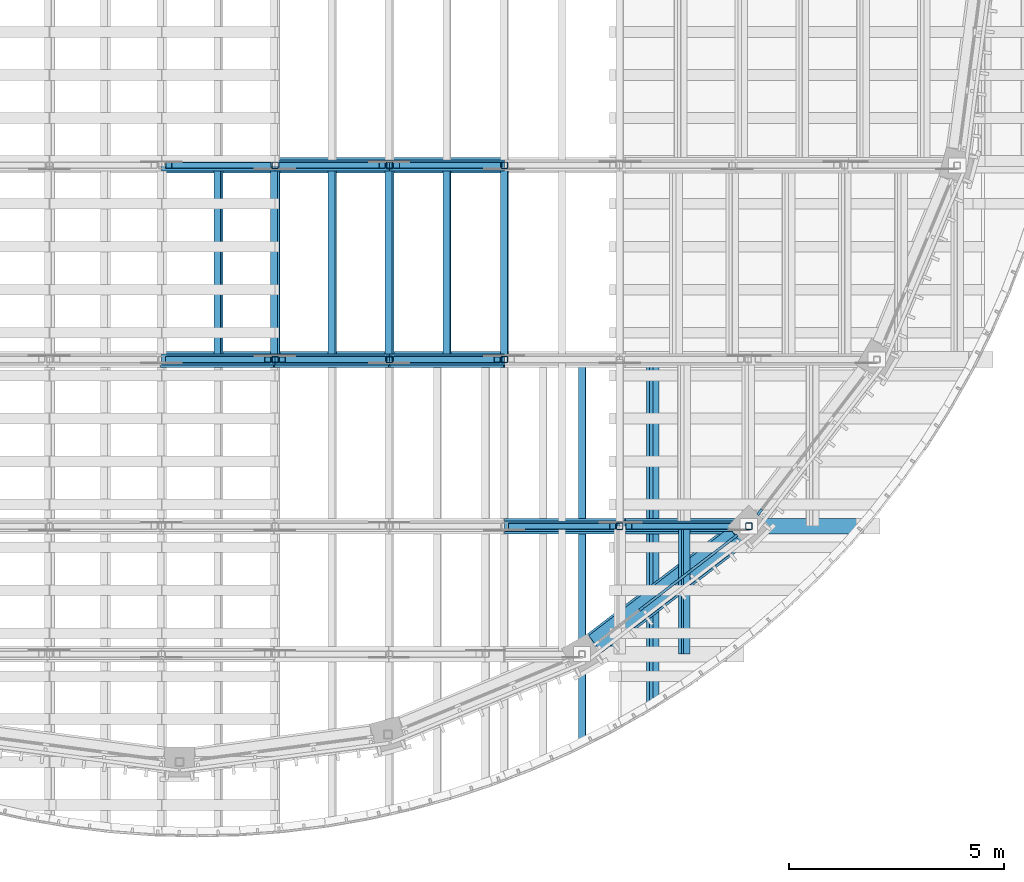
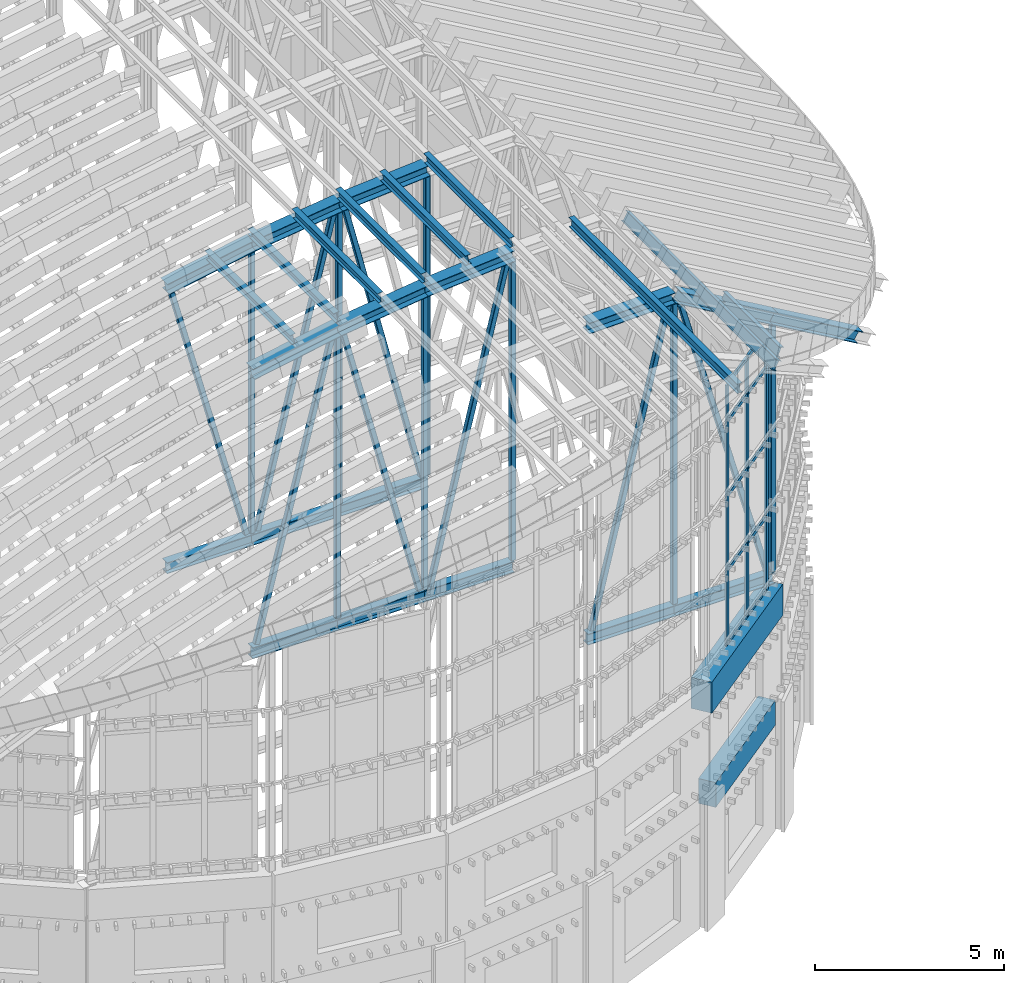
# One storey, part 11 of 105: 56 members, 2 beams, 2 elements without a shape of their own.
"""IFC4 building model written with IfcOpenShell, lengths in metres."""

from ifc_helpers import new_model, si_unit, direction, frame, origin, origin_2d, place, context, subcontext, project, spatial, rectangle, hollow_rectangle, i_section, extrude, material, layer, layer_set, material_profile, profile_set, type_object, element, aggregate, save


model = new_model("IFC4")

# Units and contexts
model_context = context("Model", 3, precision=1e-05, world=origin(), true_north=direction((0.0, 1.0)))
body_context = subcontext(model_context, "Body", "Model", "MODEL_VIEW")
ifc_project = project(units=[si_unit("LENGTHUNIT", "METRE"), si_unit("AREAUNIT", "SQUARE_METRE"), si_unit("VOLUMEUNIT", "CUBIC_METRE"), si_unit("PLANEANGLEUNIT", "RADIAN"), si_unit("MASSUNIT", "GRAM", prefix="KILO")], contexts=[model_context])

# Site, building, storey
site_placement = place(None, origin())
site = spatial("IfcSite", under=ifc_project, at=site_placement, CompositionType="ELEMENT")
building_placement = place(site_placement, origin())
building = spatial("IfcBuilding", under=site, at=building_placement, Name="Wasatch Bagh Community Centre", CompositionType="ELEMENT")
storey_placement = place(building_placement, frame((0.0, 0.0, 16.800048828125)))
storey = spatial("IfcBuildingStorey", under=building, at=storey_placement, Name="L04", CompositionType="ELEMENT", Elevation=16.800048828125)

# Members
ifc_material_1 = material(Name="ASTM A500 Grade C steel", Category="steel")
ifc_material_profile_1 = material_profile(ifc_material_1, hollow_rectangle(XDim=0.15234375, YDim=0.15234375, WallThickness=0.0087890625, InnerFilletRadius=0.0087890625, OuterFilletRadius=0.017822265625, at=origin_2d()), Name="HSS6x6x3/8")
ifc_profile_set_1 = profile_set([ifc_material_profile_1], Name="ASTM A500 Grade C steel")
member_type_1 = type_object("IfcMemberType", Name="HSS6x6x3/8 brace", PredefinedType="BRACE", material=ifc_profile_set_1)
member_1_placement = place(storey_placement, frame((38.057373046875, 30.147216796875, 8.090576171875), z_axis=(-0.257394899199, 0.0, 0.966306300231), x_axis=(0.0, -1.0, 0.0)))
element("IfcMember", 1, at=member_1_placement, inside=storey, type_object=member_type_1, Name="MH.TS1.WB08", PredefinedType="BRACE", context=body_context, shape_type="SweptSolid", body=[
    extrude(hollow_rectangle(XDim=0.15234375, YDim=0.15234375, WallThickness=0.0087890625, InnerFilletRadius=0.0087890625, OuterFilletRadius=0.017822265625, at=origin_2d()), origin(), (0.0, 0.0, 1.0), 8.96728515625),
])
member_2_placement = place(storey_placement, frame((38.39111328125, 30.147216796875, 8.08935546875), z_axis=(0.239854300231, 0.0, 0.970808897086), x_axis=(0.0, 1.0, 0.0)))
element("IfcMember", 2, at=member_2_placement, inside=storey, type_object=member_type_1, Name="MH.TS1.WB09", PredefinedType="BRACE", context=body_context, shape_type="SweptSolid", body=[
    extrude(hollow_rectangle(XDim=0.15234375, YDim=0.15234375, WallThickness=0.0087890625, InnerFilletRadius=0.0087890625, OuterFilletRadius=0.017822265625, at=origin_2d()), origin(), (0.0, 0.0, 1.0), 9.70849609375),
])
member_3_placement = place(storey_placement, frame((43.401123046875, 30.147216796875, 8.08935546875), z_axis=(-0.240640528946, 0.0, 0.970614308481), x_axis=(0.0, -1.0, 0.0)))
element("IfcMember", 3, at=member_3_placement, inside=storey, type_object=member_type_1, Name="MH.TS1.WB10", PredefinedType="BRACE", context=body_context, shape_type="SweptSolid", body=[
    extrude(hollow_rectangle(XDim=0.15234375, YDim=0.15234375, WallThickness=0.0087890625, InnerFilletRadius=0.0087890625, OuterFilletRadius=0.017822265625, at=origin_2d()), origin(), (0.0, 0.0, 1.0), 9.762939453125),
])
member_4_placement = place(storey_placement, frame((35.75146484375, 25.625, 8.08984375), z_axis=(0.246183437519, 0.0, 0.969223253483), x_axis=(0.0, 1.0, 0.0)))
element("IfcMember", 4, at=member_4_placement, inside=storey, type_object=member_type_1, Name="MH.TS2.WB07", PredefinedType="BRACE", context=body_context, shape_type="SweptSolid", body=[
    extrude(hollow_rectangle(XDim=0.15234375, YDim=0.15234375, WallThickness=0.0087890625, InnerFilletRadius=0.0087890625, OuterFilletRadius=0.017822265625, at=origin_2d()), origin(), (0.0, 0.0, 1.0), 9.349853515625),
])
member_5_placement = place(storey_placement, frame((40.722412109375, 25.625, 8.08984375), z_axis=(-0.247331546252, 0.0, 0.968930908904), x_axis=(0.0, -1.0, 0.0)))
element("IfcMember", 5, at=member_5_placement, inside=storey, type_object=member_type_1, Name="MH.TS2.WB08", PredefinedType="BRACE", context=body_context, shape_type="SweptSolid", body=[
    extrude(hollow_rectangle(XDim=0.15234375, YDim=0.15234375, WallThickness=0.0087890625, InnerFilletRadius=0.0087890625, OuterFilletRadius=0.017822265625, at=origin_2d()), origin(), (0.0, 0.0, 1.0), 9.4326171875),
])
member_6_placement = place(storey_placement, frame((41.052978515625, 25.625, 8.089111328125), z_axis=(0.236340285588, 0.0, 0.971670350174), x_axis=(0.0, 1.0, 0.0)))
element("IfcMember", 6, at=member_6_placement, inside=storey, type_object=member_type_1, Name="MH.TS2.WB09", PredefinedType="BRACE", context=body_context, shape_type="SweptSolid", body=[
    extrude(hollow_rectangle(XDim=0.15234375, YDim=0.15234375, WallThickness=0.0087890625, InnerFilletRadius=0.0087890625, OuterFilletRadius=0.017822265625, at=origin_2d()), origin(), (0.0, 0.0, 1.0), 9.92919921875),
])
member_7_placement = place(storey_placement, frame((43.7294921875, 21.74169921875, 8.089111328125), z_axis=(0.23546246071, 0.0, 0.97188344445), x_axis=(0.0, 1.0, 0.0)))
element("IfcMember", 7, at=member_7_placement, inside=storey, type_object=member_type_1, Name="MH.TS3.WB09", PredefinedType="BRACE", context=body_context, shape_type="SweptSolid", body=[
    extrude(hollow_rectangle(XDim=0.15234375, YDim=0.15234375, WallThickness=0.0087890625, InnerFilletRadius=0.0087890625, OuterFilletRadius=0.017822265625, at=origin_2d()), origin(), (0.0, 0.0, 1.0), 10.006591796875),
])
member_8_placement = place(storey_placement, frame((49.0869140625, 21.74169921875, 8.09130859375), z_axis=(-0.266053472692, 0.0, 0.963958271746), x_axis=(0.0, -1.0, 0.0)))
element("IfcMember", 8, at=member_8_placement, inside=storey, type_object=member_type_1, Name="MH.TS3.WB10", PredefinedType="BRACE", context=body_context, shape_type="SweptSolid", body=[
    extrude(hollow_rectangle(XDim=0.15234375, YDim=0.15234375, WallThickness=0.0087890625, InnerFilletRadius=0.0087890625, OuterFilletRadius=0.017822265625, at=origin_2d()), origin(), (0.0, 0.0, 1.0), 9.867431640625),
])
ifc_material_profile_2 = material_profile(ifc_material_1, hollow_rectangle(XDim=0.15234375, YDim=0.15234375, WallThickness=0.0087890625, InnerFilletRadius=0.0087890625, OuterFilletRadius=0.017822265625, at=origin_2d()), Name="HSS6x6x3/8")
ifc_profile_set_2 = profile_set([ifc_material_profile_2], Name="ASTM A500 Grade C steel")
member_type_2 = type_object("IfcMemberType", Name="HSS6x6x3/8 post", PredefinedType="POST", material=ifc_profile_set_2)
member_9_placement = place(storey_placement, frame((38.226318359375, 30.147216796875, 8.070556640625), z_axis=(0.0, 0.0, 1.0), x_axis=(1.0, 0.0, 0.0)))
element("IfcMember", 9, at=member_9_placement, inside=storey, type_object=member_type_2, Name="MH.TS1.PS09", PredefinedType="POST", context=body_context, shape_type="SweptSolid", body=[
    extrude(hollow_rectangle(XDim=0.15234375, YDim=0.15234375, WallThickness=0.0087890625, InnerFilletRadius=0.0087890625, OuterFilletRadius=0.017822265625, at=origin_2d()), origin(), (0.0, 0.0, 1.0), 9.13134765625),
])
member_10_placement = place(storey_placement, frame((40.88916015625, 30.147216796875, 8.070556640625), z_axis=(0.0, 0.0, 1.0), x_axis=(1.0, 0.0, 0.0)))
element("IfcMember", 10, at=member_10_placement, inside=storey, type_object=member_type_2, Name="MH.TS1.PS10", PredefinedType="POST", context=body_context, shape_type="SweptSolid", body=[
    extrude(hollow_rectangle(XDim=0.15234375, YDim=0.15234375, WallThickness=0.0087890625, InnerFilletRadius=0.0087890625, OuterFilletRadius=0.017822265625, at=origin_2d()), origin(), (0.0, 0.0, 1.0), 9.48388671875),
])
member_11_placement = place(storey_placement, frame((43.56591796875, 30.147216796875, 8.070556640625), z_axis=(0.0, 0.0, 1.0), x_axis=(1.0, 0.0, 0.0)))
element("IfcMember", 11, at=member_11_placement, inside=storey, type_object=member_type_2, Name="MH.TS1.PS11", PredefinedType="POST", context=body_context, shape_type="SweptSolid", body=[
    extrude(hollow_rectangle(XDim=0.15234375, YDim=0.15234375, WallThickness=0.0087890625, InnerFilletRadius=0.0087890625, OuterFilletRadius=0.017822265625, at=origin_2d()), origin(), (0.0, 0.0, 1.0), 9.697265625),
])
member_12_placement = place(storey_placement, frame((38.226318359375, 25.625, 8.070556640625), z_axis=(0.0, 0.0, 1.0), x_axis=(1.0, 0.0, 0.0)))
element("IfcMember", 12, at=member_12_placement, inside=storey, type_object=member_type_2, Name="MH.TS2.PS08", PredefinedType="POST", context=body_context, shape_type="SweptSolid", body=[
    extrude(hollow_rectangle(XDim=0.15234375, YDim=0.15234375, WallThickness=0.0087890625, InnerFilletRadius=0.0087890625, OuterFilletRadius=0.017822265625, at=origin_2d()), origin(), (0.0, 0.0, 1.0), 9.13134765625),
])
member_13_placement = place(storey_placement, frame((40.88916015625, 25.625, 8.070556640625), z_axis=(0.0, 0.0, 1.0), x_axis=(1.0, 0.0, 0.0)))
element("IfcMember", 13, at=member_13_placement, inside=storey, type_object=member_type_2, Name="MH.TS2.PS09", PredefinedType="POST", context=body_context, shape_type="SweptSolid", body=[
    extrude(hollow_rectangle(XDim=0.15234375, YDim=0.15234375, WallThickness=0.0087890625, InnerFilletRadius=0.0087890625, OuterFilletRadius=0.017822265625, at=origin_2d()), origin(), (0.0, 0.0, 1.0), 9.48388671875),
])
member_14_placement = place(storey_placement, frame((43.56591796875, 25.625, 8.070556640625), z_axis=(0.0, 0.0, 1.0), x_axis=(1.0, 0.0, 0.0)))
element("IfcMember", 14, at=member_14_placement, inside=storey, type_object=member_type_2, Name="MH.TS2.PS10", PredefinedType="POST", context=body_context, shape_type="SweptSolid", body=[
    extrude(hollow_rectangle(XDim=0.15234375, YDim=0.15234375, WallThickness=0.0087890625, InnerFilletRadius=0.0087890625, OuterFilletRadius=0.017822265625, at=origin_2d()), origin(), (0.0, 0.0, 1.0), 9.697265625),
])
member_15_placement = place(storey_placement, frame((46.25, 21.74169921875, 8.070556640625), z_axis=(0.0, 0.0, 1.0), x_axis=(1.0, 0.0, 0.0)))
element("IfcMember", 15, at=member_15_placement, inside=storey, type_object=member_type_2, Name="MH.TS3.PS10", PredefinedType="POST", context=body_context, shape_type="SweptSolid", body=[
    extrude(hollow_rectangle(XDim=0.15234375, YDim=0.15234375, WallThickness=0.0087890625, InnerFilletRadius=0.0087890625, OuterFilletRadius=0.017822265625, at=origin_2d()), origin(), (0.0, 0.0, 1.0), 9.67431640625),
])
member_16_placement = place(storey_placement, frame((49.25830078125, 21.74169921875, 8.070556640625), z_axis=(0.0, 0.0, 1.0), x_axis=(1.0, 0.0, 0.0)))
element("IfcMember", 16, at=member_16_placement, inside=storey, type_object=member_type_2, Name="MH.TS3.PS11", PredefinedType="POST", context=body_context, shape_type="SweptSolid", body=[
    extrude(hollow_rectangle(XDim=0.15234375, YDim=0.15234375, WallThickness=0.0087890625, InnerFilletRadius=0.0087890625, OuterFilletRadius=0.017822265625, at=origin_2d()), origin(), (0.0, 0.0, 1.0), 7.936279296875),
])

# Curtain wall, members
ifc_material_2 = material(Name="Aluminium curtain wall frame with low-iron glass", Category="aluminium")
ifc_layer_1 = layer(ifc_material_2, 0.10009765625)
ifc_layer_set_1 = layer_set([ifc_layer_1], Name="Aluminium curtain wall frame with low-iron glass")
curtain_wall_type_1 = type_object("IfcCurtainWallType", Name="MH end screen curtain wall 7", PredefinedType="NOTDEFINED", material=ifc_layer_set_1)
curtain_wall_1_placement = place(storey_placement, origin())
curtain_wall_1 = element("IfcCurtainWall", 17, at=curtain_wall_1_placement, inside=storey, type_object=curtain_wall_type_1, Name="End screen 9", PredefinedType="NOTDEFINED")
ifc_material_3 = material(Name="Aluminium extrusion", Category="aluminium")
ifc_material_profile_3 = material_profile(ifc_material_3, rectangle(XDim=0.06005859375, YDim=0.159912109375, at=origin_2d()), Name="AL 60x160")
ifc_profile_set_3 = profile_set([ifc_material_profile_3], Name="Aluminium extrusion")
member_type_3 = type_object("IfcMemberType", Name="MH end screen mullion 60x160", PredefinedType="MULLION", material=ifc_profile_set_3)
member_17_placement = place(storey_placement, frame((46.771728515625, 19.833740234375, 7.699951171875), z_axis=(0.0, 0.0, 1.0), x_axis=(-0.608761429036, 0.79335334027, 0.0)))
member_17 = element("IfcMember", 18, at=member_17_placement, type_object=member_type_3, Name="MH-CW7 mullion 2", PredefinedType="MULLION", context=body_context, shape_type="SweptSolid", body=[
    extrude(rectangle(XDim=0.06005859375, YDim=0.159912109375, at=origin_2d()), origin(), (0.0, 0.0, 1.0), 8.39990234375),
])
member_18_placement = place(storey_placement, frame((47.861572265625, 20.670166015625, 7.699951171875), z_axis=(0.0, 0.0, 1.0), x_axis=(-0.608761429036, 0.79335334027, 0.0)))
member_18 = element("IfcMember", 19, at=member_18_placement, type_object=member_type_3, Name="MH-CW7 mullion 3", PredefinedType="MULLION", context=body_context, shape_type="SweptSolid", body=[
    extrude(rectangle(XDim=0.06005859375, YDim=0.159912109375, at=origin_2d()), origin(), (0.0, 0.0, 1.0), 8.39990234375),
])
member_19_placement = place(storey_placement, frame((48.927978515625, 21.48828125, 7.699951171875), z_axis=(0.0, 0.0, 1.0), x_axis=(-0.608761429036, 0.79335334027, 0.0)))
member_19 = element("IfcMember", 20, at=member_19_placement, type_object=member_type_3, Name="MH-CW7 mullion 4", PredefinedType="MULLION", context=body_context, shape_type="SweptSolid", body=[
    extrude(rectangle(XDim=0.06005859375, YDim=0.159912109375, at=origin_2d()), origin(), (0.0, 0.0, 1.0), 8.39990234375),
])

# Curtain wall, member
ifc_layer_2 = layer(ifc_material_2, 0.10009765625)
ifc_layer_set_2 = layer_set([ifc_layer_2], Name="Aluminium curtain wall frame with low-iron glass")
curtain_wall_type_2 = type_object("IfcCurtainWallType", Name="MH end screen curtain wall 5", PredefinedType="NOTDEFINED", material=ifc_layer_set_2)
curtain_wall_2_placement = place(storey_placement, origin())
curtain_wall_2 = element("IfcCurtainWall", 21, at=curtain_wall_2_placement, inside=storey, type_object=curtain_wall_type_2, Name="End screen 10", PredefinedType="NOTDEFINED")
member_20_placement = place(storey_placement, frame((49.51171875, 22.072021484375, 7.699951171875), z_axis=(0.0, 0.0, 1.0), x_axis=(-0.79335334027, 0.608761429036, 0.0)))
member_20 = element("IfcMember", 22, at=member_20_placement, type_object=member_type_3, Name="MH-CW5 mullion 1", PredefinedType="MULLION", context=body_context, shape_type="SweptSolid", body=[
    extrude(rectangle(XDim=0.06005859375, YDim=0.159912109375, at=origin_2d()), origin(), (0.0, 0.0, 1.0), 6.60009765625),
])
aggregate(curtain_wall_2, [member_20])

# Member
ifc_material_profile_4 = material_profile(ifc_material_3, rectangle(XDim=0.06005859375, YDim=0.1201171875, at=origin_2d()), Name="AL 60x120")
ifc_profile_set_4 = profile_set([ifc_material_profile_4], Name="Aluminium extrusion")
member_type_4 = type_object("IfcMemberType", Name="MH end screen transom 60x120", PredefinedType="USERDEFINED", material=ifc_profile_set_4)
member_21_placement = place(storey_placement, frame((46.79541015625, 19.85205078125, 7.72998046875), z_axis=(0.793396972345, 0.608704562389, 0.0), x_axis=(-0.608704562389, 0.793396972345, 0.0)))
member_21 = element("IfcMember", 23, at=member_21_placement, type_object=member_type_4, Name="MH-CW7 transom 2.1", ObjectType="TRANSOM", PredefinedType="USERDEFINED", context=body_context, shape_type="SweptSolid", body=[
    extrude(rectangle(XDim=0.06005859375, YDim=0.1201171875, at=origin_2d()), origin(), (0.0, 0.0, 1.0), 1.31396484375),
])

member_22_placement = place(storey_placement, frame((46.79541015625, 19.85205078125, 10.099853515625), z_axis=(0.793396972345, 0.608704562389, 0.0), x_axis=(-0.608704562389, 0.793396972345, 0.0)))
member_22 = element("IfcMember", 24, at=member_22_placement, type_object=member_type_4, Name="MH-CW7 transom 2.2", ObjectType="TRANSOM", PredefinedType="USERDEFINED", context=body_context, shape_type="SweptSolid", body=[
    extrude(rectangle(XDim=0.06005859375, YDim=0.1201171875, at=origin_2d()), origin(), (0.0, 0.0, 1.0), 1.31396484375),
])

member_23_placement = place(storey_placement, frame((46.79541015625, 19.85205078125, 12.5), z_axis=(0.793396972345, 0.608704562389, 0.0), x_axis=(-0.608704562389, 0.793396972345, 0.0)))
member_23 = element("IfcMember", 25, at=member_23_placement, type_object=member_type_4, Name="MH-CW7 transom 2.3", ObjectType="TRANSOM", PredefinedType="USERDEFINED", context=body_context, shape_type="SweptSolid", body=[
    extrude(rectangle(XDim=0.06005859375, YDim=0.1201171875, at=origin_2d()), origin(), (0.0, 0.0, 1.0), 1.31396484375),
])

member_24_placement = place(storey_placement, frame((46.79541015625, 19.85205078125, 14.89990234375), z_axis=(0.793396972345, 0.608704562389, 0.0), x_axis=(-0.608704562389, 0.793396972345, 0.0)))
member_24 = element("IfcMember", 26, at=member_24_placement, type_object=member_type_4, Name="MH-CW7 transom 2.4", ObjectType="TRANSOM", PredefinedType="USERDEFINED", context=body_context, shape_type="SweptSolid", body=[
    extrude(rectangle(XDim=0.06005859375, YDim=0.1201171875, at=origin_2d()), origin(), (0.0, 0.0, 1.0), 1.31396484375),
])

member_25_placement = place(storey_placement, frame((46.79541015625, 19.85205078125, 16.070068359375), z_axis=(0.793396972345, 0.608704562389, 0.0), x_axis=(-0.608704562389, 0.793396972345, 0.0)))
member_25 = element("IfcMember", 27, at=member_25_placement, type_object=member_type_4, Name="MH-CW7 transom 2.5", ObjectType="TRANSOM", PredefinedType="USERDEFINED", context=body_context, shape_type="SweptSolid", body=[
    extrude(rectangle(XDim=0.06005859375, YDim=0.1201171875, at=origin_2d()), origin(), (0.0, 0.0, 1.0), 1.31396484375),
])

member_26_placement = place(storey_placement, frame((47.885498046875, 20.688232421875, 7.72998046875), z_axis=(0.793287968186, 0.608846614125, 0.0), x_axis=(-0.608846614125, 0.793287968186, 0.0)))
member_26 = element("IfcMember", 28, at=member_26_placement, type_object=member_type_4, Name="MH-CW7 transom 3.1", ObjectType="TRANSOM", PredefinedType="USERDEFINED", context=body_context, shape_type="SweptSolid", body=[
    extrude(rectangle(XDim=0.06005859375, YDim=0.1201171875, at=origin_2d()), origin(), (0.0, 0.0, 1.0), 1.283935546875),
])

member_27_placement = place(storey_placement, frame((47.885498046875, 20.688232421875, 10.099853515625), z_axis=(0.793287968186, 0.608846614125, 0.0), x_axis=(-0.608846614125, 0.793287968186, 0.0)))
member_27 = element("IfcMember", 29, at=member_27_placement, type_object=member_type_4, Name="MH-CW7 transom 3.2", ObjectType="TRANSOM", PredefinedType="USERDEFINED", context=body_context, shape_type="SweptSolid", body=[
    extrude(rectangle(XDim=0.06005859375, YDim=0.1201171875, at=origin_2d()), origin(), (0.0, 0.0, 1.0), 1.283935546875),
])

member_28_placement = place(storey_placement, frame((47.885498046875, 20.688232421875, 12.5), z_axis=(0.793287968186, 0.608846614125, 0.0), x_axis=(-0.608846614125, 0.793287968186, 0.0)))
member_28 = element("IfcMember", 30, at=member_28_placement, type_object=member_type_4, Name="MH-CW7 transom 3.3", ObjectType="TRANSOM", PredefinedType="USERDEFINED", context=body_context, shape_type="SweptSolid", body=[
    extrude(rectangle(XDim=0.06005859375, YDim=0.1201171875, at=origin_2d()), origin(), (0.0, 0.0, 1.0), 1.283935546875),
])

member_29_placement = place(storey_placement, frame((47.885498046875, 20.688232421875, 14.89990234375), z_axis=(0.793287968186, 0.608846614125, 0.0), x_axis=(-0.608846614125, 0.793287968186, 0.0)))
member_29 = element("IfcMember", 31, at=member_29_placement, type_object=member_type_4, Name="MH-CW7 transom 3.4", ObjectType="TRANSOM", PredefinedType="USERDEFINED", context=body_context, shape_type="SweptSolid", body=[
    extrude(rectangle(XDim=0.06005859375, YDim=0.1201171875, at=origin_2d()), origin(), (0.0, 0.0, 1.0), 1.283935546875),
])

member_30_placement = place(storey_placement, frame((47.885498046875, 20.688232421875, 16.070068359375), z_axis=(0.793287968186, 0.608846614125, 0.0), x_axis=(-0.608846614125, 0.793287968186, 0.0)))
member_30 = element("IfcMember", 32, at=member_30_placement, type_object=member_type_4, Name="MH-CW7 transom 3.5", ObjectType="TRANSOM", PredefinedType="USERDEFINED", context=body_context, shape_type="SweptSolid", body=[
    extrude(rectangle(XDim=0.06005859375, YDim=0.1201171875, at=origin_2d()), origin(), (0.0, 0.0, 1.0), 1.283935546875),
])

aggregate(curtain_wall_1, [member_17, member_18, member_19, member_21, member_22, member_23, member_24, member_25, member_26, member_27, member_28, member_29, member_30])

# Beams
ifc_material_4 = material(Name="Concrete C35", Category="concrete")
ifc_material_profile_5 = material_profile(ifc_material_4, rectangle(XDim=0.5, YDim=0.800048828125, at=origin_2d()), Name="RC 500x800")
ifc_profile_set_5 = profile_set([ifc_material_profile_5], Name="Concrete C35")
beam_type_1 = type_object("IfcBeamType", Name="MH ring beam RC 500x800", PredefinedType="BEAM", material=ifc_profile_set_5)
beam_1_placement = place(storey_placement, frame((45.681640625, 18.997314453125, 3.800048828125), z_axis=(0.793341258985, 0.60877717335, 0.0), x_axis=(-0.60877717335, 0.793341258985, 0.0)))
element("IfcBeam", 33, at=beam_1_placement, inside=storey, type_object=beam_type_1, Name="Ring beam 21.0 S8-S9", PredefinedType="BEAM", context=body_context, shape_type="SweptSolid", body=[
    extrude(rectangle(XDim=0.5, YDim=0.800048828125, at=origin_2d()), origin(), (0.0, 0.0, 1.0), 4.121826171875),
])
ifc_material_profile_6 = material_profile(ifc_material_4, rectangle(XDim=0.60009765625, YDim=1.0, at=origin_2d()), Name="RC 600x1000")
ifc_profile_set_6 = profile_set([ifc_material_profile_6], Name="Concrete C35")
beam_type_2 = type_object("IfcBeamType", Name="MH ring beam RC 600x1000", PredefinedType="BEAM", material=ifc_profile_set_6)
beam_2_placement = place(storey_placement, frame((45.375, 18.761962890625, 7.199951171875), z_axis=(0.793355823169, 0.608758193246, 0.0), x_axis=(-0.608758193246, 0.793355823169, 0.0)))
element("IfcBeam", 34, at=beam_2_placement, inside=storey, type_object=beam_type_2, Name="Ring beam 24.5 S8-S9", PredefinedType="BEAM", context=body_context, shape_type="SweptSolid", body=[
    extrude(rectangle(XDim=0.60009765625, YDim=1.0, at=origin_2d()), origin(), (0.0, 0.0, 1.0), 4.894775390625),
])

# Members
ifc_material_5 = material(Name="ASTM A992 Grade 50 steel", Category="steel")
ifc_material_profile_7 = material_profile(ifc_material_5, i_section(OverallWidth=0.164794921875, OverallDepth=0.309814453125, WebThickness=0.005859375, FlangeThickness=0.009765625, at=origin_2d()), Name="W12x26")
ifc_profile_set_7 = profile_set([ifc_material_profile_7], Name="ASTM A992 Grade 50 steel")
member_type_5 = type_object("IfcMemberType", Name="W12x26 purlin", PredefinedType="PURLIN", material=ifc_profile_set_7)
member_31_placement = place(storey_placement, frame((47.754150390625, 18.761962890625, 17.431884765625), z_axis=(0.0, 1.0, 0.0), x_axis=(-0.922976927194, 0.0, 0.384855286916)))
element("IfcMember", 35, at=member_31_placement, inside=storey, type_object=member_type_5, Name="MH.TS4-TS3.PU19", PredefinedType="PURLIN", context=body_context, shape_type="SweptSolid", body=[
    extrude(i_section(OverallWidth=0.164794921875, OverallDepth=0.309814453125, WebThickness=0.005859375, FlangeThickness=0.009765625, at=origin_2d()), origin(), (0.0, 0.0, 1.0), 2.979736328125),
])
for number, where, z_axis, x_axis, name in (
    (36, (36.90576171875, 25.625, 17.493408203125), (0.0, 1.0, 0.0), (-0.983711293114, 0.0, -0.179755644695), "MH.TS2-TS1.PU15"),
    (37, (38.226318359375, 25.625, 17.734619140625), (0.0, 1.0, 0.0), (-0.983711293114, 0.0, -0.179755644695), "MH.TS2-TS1.PU16"),
    (38, (39.5576171875, 25.625, 17.90625), (0.0, 1.0, 0.0), (-0.991678342395, 0.0, -0.12874030148), "MH.TS2-TS1.PU17"),
    (39, (40.88916015625, 25.625, 18.0791015625), (0.0, 1.0, 0.0), (-0.991678342395, 0.0, -0.12874030148), "MH.TS2-TS1.PU18"),
    (40, (42.2275390625, 25.625, 18.18212890625), (0.0, 1.0, 0.0), (-0.997001538098, 0.0, -0.077381735761), "MH.TS2-TS1.PU19"),
    (41, (43.56591796875, 25.625, 18.2861328125), (0.0, 1.0, 0.0), (-0.997001538098, 0.0, -0.077381735761), "MH.TS2-TS1.PU20"),
):
    element("IfcMember", number, at=place(storey_placement, frame(where, z_axis=z_axis, x_axis=x_axis)), inside=storey, type_object=member_type_5, Name=name, PredefinedType="PURLIN", context=body_context, shape_type="SweptSolid", body=[
        extrude(i_section(OverallWidth=0.164794921875, OverallDepth=0.309814453125, WebThickness=0.005859375, FlangeThickness=0.009765625, at=origin_2d()), origin(), (0.0, 0.0, 1.0), 4.522216796875),
    ])
ifc_material_profile_8 = material_profile(ifc_material_5, i_section(OverallWidth=0.164794921875, OverallDepth=0.309814453125, WebThickness=0.005859375, FlangeThickness=0.009765625, at=origin_2d()), Name="W12x26")
ifc_profile_set_8 = profile_set([ifc_material_profile_8], Name="ASTM A992 Grade 50 steel")
member_type_6 = type_object("IfcMemberType", Name="W12x26 rafter", PredefinedType="RAFTER", material=ifc_profile_set_8)
member_32_placement = place(storey_placement, frame((45.375, 16.736083984375, 18.33203125), z_axis=(0.0, 1.0, 0.0), x_axis=(-0.999666689532, 0.0, -0.025816851865)))
element("IfcMember", 42, at=member_32_placement, inside=storey, type_object=member_type_6, Name="MH.TS.RF19", PredefinedType="RAFTER", context=body_context, shape_type="SweptSolid", body=[
    extrude(i_section(OverallWidth=0.164794921875, OverallDepth=0.309814453125, WebThickness=0.005859375, FlangeThickness=0.009765625, at=origin_2d()), origin(), (0.0, 0.0, 1.0), 8.888916015625),
])
member_33_placement = place(storey_placement, frame((47.0205078125, 17.64111328125, 17.93359375), z_axis=(0.0, 1.0, 0.0), x_axis=(-0.866025403784, 0.0, 0.5)))
element("IfcMember", 43, at=member_33_placement, inside=storey, type_object=member_type_6, Name="MH.TS.RF20", PredefinedType="RAFTER", context=body_context, shape_type="SweptSolid", body=[
    extrude(i_section(OverallWidth=0.164794921875, OverallDepth=0.309814453125, WebThickness=0.005859375, FlangeThickness=0.009765625, at=origin_2d()), origin(), (0.0, 0.0, 1.0), 7.98388671875),
])
ifc_material_profile_9 = material_profile(ifc_material_5, i_section(OverallWidth=0.25390625, OverallDepth=0.355712890625, WebThickness=0.010498046875, FlangeThickness=0.018310546875, at=origin_2d()), Name="W14x68")
ifc_profile_set_9 = profile_set([ifc_material_profile_9], Name="ASTM A992 Grade 50 steel")
member_type_7 = type_object("IfcMemberType", Name="W14x68 chord", PredefinedType="CHORD", material=ifc_profile_set_9)
member_34_placement = place(storey_placement, frame((35.585205078125, 30.147216796875, 7.892822265625), z_axis=(1.0, 0.0, 0.0), x_axis=(0.0, 1.0, 0.0)))
element("IfcMember", 44, at=member_34_placement, inside=storey, type_object=member_type_7, Name="MH.TS1.BC08", PredefinedType="CHORD", context=body_context, shape_type="SweptSolid", body=[
    extrude(i_section(OverallWidth=0.25390625, OverallDepth=0.355712890625, WebThickness=0.010498046875, FlangeThickness=0.018310546875, at=origin_2d()), origin(), (0.0, 0.0, 1.0), 2.64111328125),
])
member_35_placement = place(storey_placement, frame((38.226318359375, 30.147216796875, 7.892822265625), z_axis=(1.0, 0.0, 0.0), x_axis=(0.0, 1.0, 0.0)))
element("IfcMember", 45, at=member_35_placement, inside=storey, type_object=member_type_7, Name="MH.TS1.BC09", PredefinedType="CHORD", context=body_context, shape_type="SweptSolid", body=[
    extrude(i_section(OverallWidth=0.25390625, OverallDepth=0.355712890625, WebThickness=0.010498046875, FlangeThickness=0.018310546875, at=origin_2d()), origin(), (0.0, 0.0, 1.0), 2.662841796875),
])
member_36_placement = place(storey_placement, frame((40.88916015625, 30.147216796875, 7.892822265625), z_axis=(1.0, 0.0, 0.0), x_axis=(0.0, 1.0, 0.0)))
element("IfcMember", 46, at=member_36_placement, inside=storey, type_object=member_type_7, Name="MH.TS1.BC10", PredefinedType="CHORD", context=body_context, shape_type="SweptSolid", body=[
    extrude(i_section(OverallWidth=0.25390625, OverallDepth=0.355712890625, WebThickness=0.010498046875, FlangeThickness=0.018310546875, at=origin_2d()), origin(), (0.0, 0.0, 1.0), 2.6767578125),
])
member_37_placement = place(storey_placement, frame((35.585205078125, 25.625, 7.892822265625), z_axis=(1.0, 0.0, 0.0), x_axis=(0.0, 1.0, 0.0)))
element("IfcMember", 47, at=member_37_placement, inside=storey, type_object=member_type_7, Name="MH.TS2.BC07", PredefinedType="CHORD", context=body_context, shape_type="SweptSolid", body=[
    extrude(i_section(OverallWidth=0.25390625, OverallDepth=0.355712890625, WebThickness=0.010498046875, FlangeThickness=0.018310546875, at=origin_2d()), origin(), (0.0, 0.0, 1.0), 2.64111328125),
])
member_38_placement = place(storey_placement, frame((38.226318359375, 25.625, 7.892822265625), z_axis=(1.0, 0.0, 0.0), x_axis=(0.0, 1.0, 0.0)))
element("IfcMember", 48, at=member_38_placement, inside=storey, type_object=member_type_7, Name="MH.TS2.BC08", PredefinedType="CHORD", context=body_context, shape_type="SweptSolid", body=[
    extrude(i_section(OverallWidth=0.25390625, OverallDepth=0.355712890625, WebThickness=0.010498046875, FlangeThickness=0.018310546875, at=origin_2d()), origin(), (0.0, 0.0, 1.0), 2.662841796875),
])
member_39_placement = place(storey_placement, frame((40.88916015625, 25.625, 7.892822265625), z_axis=(1.0, 0.0, 0.0), x_axis=(0.0, 1.0, 0.0)))
element("IfcMember", 49, at=member_39_placement, inside=storey, type_object=member_type_7, Name="MH.TS2.BC09", PredefinedType="CHORD", context=body_context, shape_type="SweptSolid", body=[
    extrude(i_section(OverallWidth=0.25390625, OverallDepth=0.355712890625, WebThickness=0.010498046875, FlangeThickness=0.018310546875, at=origin_2d()), origin(), (0.0, 0.0, 1.0), 2.6767578125),
])
member_40_placement = place(storey_placement, frame((43.56591796875, 21.74169921875, 7.892822265625), z_axis=(1.0, 0.0, 0.0), x_axis=(0.0, 1.0, 0.0)))
element("IfcMember", 50, at=member_40_placement, inside=storey, type_object=member_type_7, Name="MH.TS3.BC09", PredefinedType="CHORD", context=body_context, shape_type="SweptSolid", body=[
    extrude(i_section(OverallWidth=0.25390625, OverallDepth=0.355712890625, WebThickness=0.010498046875, FlangeThickness=0.018310546875, at=origin_2d()), origin(), (0.0, 0.0, 1.0), 2.68408203125),
])
member_41_placement = place(storey_placement, frame((46.25, 21.74169921875, 7.892822265625), z_axis=(1.0, 0.0, 0.0), x_axis=(0.0, 1.0, 0.0)))
element("IfcMember", 51, at=member_41_placement, inside=storey, type_object=member_type_7, Name="MH.TS3.BC10", PredefinedType="CHORD", context=body_context, shape_type="SweptSolid", body=[
    extrude(i_section(OverallWidth=0.25390625, OverallDepth=0.355712890625, WebThickness=0.010498046875, FlangeThickness=0.018310546875, at=origin_2d()), origin(), (0.0, 0.0, 1.0), 3.00830078125),
])
ifc_material_profile_10 = material_profile(ifc_material_5, i_section(OverallWidth=0.368408203125, OverallDepth=0.355712890625, WebThickness=0.01123046875, FlangeThickness=0.01806640625, at=origin_2d()), Name="W14x90")
ifc_profile_set_10 = profile_set([ifc_material_profile_10], Name="ASTM A992 Grade 50 steel")
member_type_8 = type_object("IfcMemberType", Name="W14x90 chord", PredefinedType="CHORD", material=ifc_profile_set_10)
for number, where, z_axis, x_axis, name in (
    (52, (35.59033203125, 30.147216796875, 16.913818359375), (0.983603049686, 0.0, 0.180347000666), (0.0, 1.0, 0.0), "MH.TS1.TC10"),
    (53, (38.2314453125, 30.147216796875, 17.39794921875), (0.991625838438, 0.0, 0.129144092167), (0.0, 1.0, 0.0), "MH.TS1.TC11"),
):
    element("IfcMember", number, at=place(storey_placement, frame(where, z_axis=z_axis, x_axis=x_axis)), inside=storey, type_object=member_type_8, Name=name, PredefinedType="CHORD", context=body_context, shape_type="SweptSolid", body=[
        extrude(i_section(OverallWidth=0.368408203125, OverallDepth=0.355712890625, WebThickness=0.01123046875, FlangeThickness=0.01806640625, at=origin_2d()), origin(), (0.0, 0.0, 1.0), 2.675048828125),
    ])
member_42_placement = place(storey_placement, frame((40.89404296875, 30.147216796875, 17.74462890625), z_axis=(0.99698535495, 0.0, 0.077589960786), x_axis=(0.0, 1.0, 0.0)))
element("IfcMember", 54, at=member_42_placement, inside=storey, type_object=member_type_8, Name="MH.TS1.TC12", PredefinedType="CHORD", context=body_context, shape_type="SweptSolid", body=[
    extrude(i_section(OverallWidth=0.368408203125, OverallDepth=0.355712890625, WebThickness=0.01123046875, FlangeThickness=0.01806640625, at=origin_2d()), origin(), (0.0, 0.0, 1.0), 2.674560546875),
])
for number, where, z_axis, x_axis, name in (
    (55, (35.59033203125, 25.625, 16.913818359375), (0.983603049686, 0.0, 0.180347000666), (0.0, 1.0, 0.0), "MH.TS2.TC09"),
    (56, (38.2314453125, 25.625, 17.39794921875), (0.991625838438, 0.0, 0.129144092167), (0.0, 1.0, 0.0), "MH.TS2.TC10"),
):
    element("IfcMember", number, at=place(storey_placement, frame(where, z_axis=z_axis, x_axis=x_axis)), inside=storey, type_object=member_type_8, Name=name, PredefinedType="CHORD", context=body_context, shape_type="SweptSolid", body=[
        extrude(i_section(OverallWidth=0.368408203125, OverallDepth=0.355712890625, WebThickness=0.01123046875, FlangeThickness=0.01806640625, at=origin_2d()), origin(), (0.0, 0.0, 1.0), 2.675048828125),
    ])
member_43_placement = place(storey_placement, frame((40.89404296875, 25.625, 17.74462890625), z_axis=(0.99698535495, 0.0, 0.077589960786), x_axis=(0.0, 1.0, 0.0)))
element("IfcMember", 57, at=member_43_placement, inside=storey, type_object=member_type_8, Name="MH.TS2.TC11", PredefinedType="CHORD", context=body_context, shape_type="SweptSolid", body=[
    extrude(i_section(OverallWidth=0.368408203125, OverallDepth=0.355712890625, WebThickness=0.01123046875, FlangeThickness=0.01806640625, at=origin_2d()), origin(), (0.0, 0.0, 1.0), 2.674560546875),
])
member_44_placement = place(storey_placement, frame((43.5712890625, 21.74169921875, 17.95263671875), z_axis=(0.999715039998, 0.0, 0.023871296598), x_axis=(0.0, 1.0, 0.0)))
element("IfcMember", 58, at=member_44_placement, inside=storey, type_object=member_type_8, Name="MH.TS3.TC11", PredefinedType="CHORD", context=body_context, shape_type="SweptSolid", body=[
    extrude(i_section(OverallWidth=0.368408203125, OverallDepth=0.355712890625, WebThickness=0.01123046875, FlangeThickness=0.01806640625, at=origin_2d()), origin(), (0.0, 0.0, 1.0), 2.62841796875),
])
member_45_placement = place(storey_placement, frame((46.2939453125, 21.74169921875, 17.99072265625), z_axis=(0.863298701115, 0.0, -0.504693325351), x_axis=(0.0, 1.0, 0.0)))
element("IfcMember", 59, at=member_45_placement, inside=storey, type_object=member_type_8, Name="MH.TS3.TC12", PredefinedType="CHORD", context=body_context, shape_type="SweptSolid", body=[
    extrude(i_section(OverallWidth=0.368408203125, OverallDepth=0.355712890625, WebThickness=0.01123046875, FlangeThickness=0.01806640625, at=origin_2d()), origin(), (0.0, 0.0, 1.0), 3.4326171875),
])
member_46_placement = place(storey_placement, frame((49.259033203125, 21.74169921875, 16.25732421875), z_axis=(0.866050448169, 0.0, -0.499956619345), x_axis=(0.0, 1.0, 0.0)))
element("IfcMember", 60, at=member_46_placement, inside=storey, type_object=member_type_8, Name="MH.TS3.TC13", PredefinedType="CHORD", context=body_context, shape_type="SweptSolid", body=[
    extrude(i_section(OverallWidth=0.368408203125, OverallDepth=0.355712890625, WebThickness=0.01123046875, FlangeThickness=0.01806640625, at=origin_2d()), origin(), (0.0, 0.0, 1.0), 2.978271484375),
])

save(model, "model.ifc")
